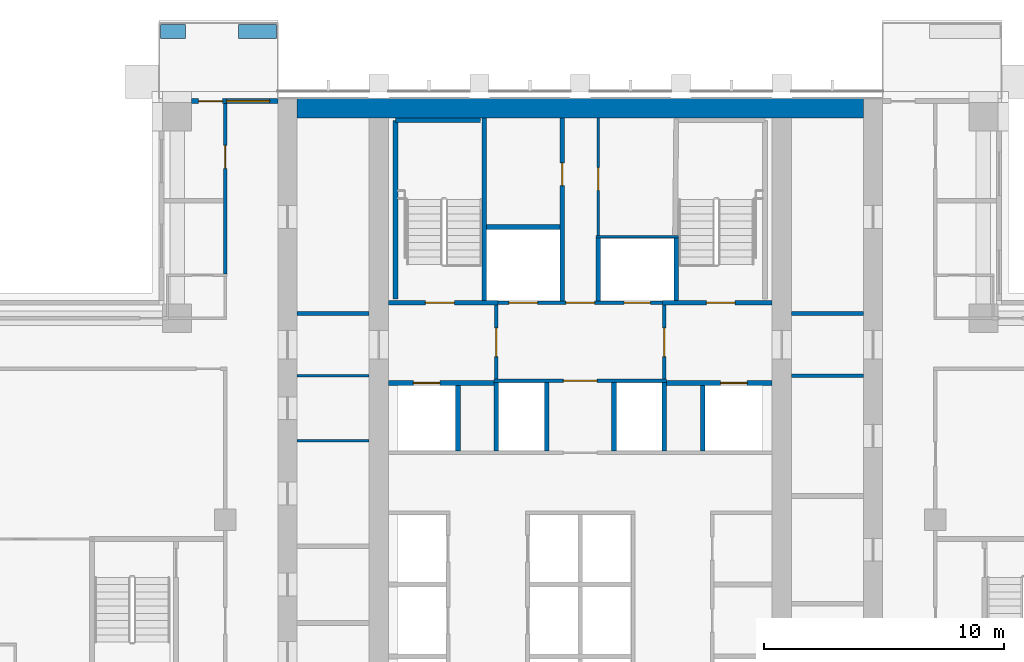
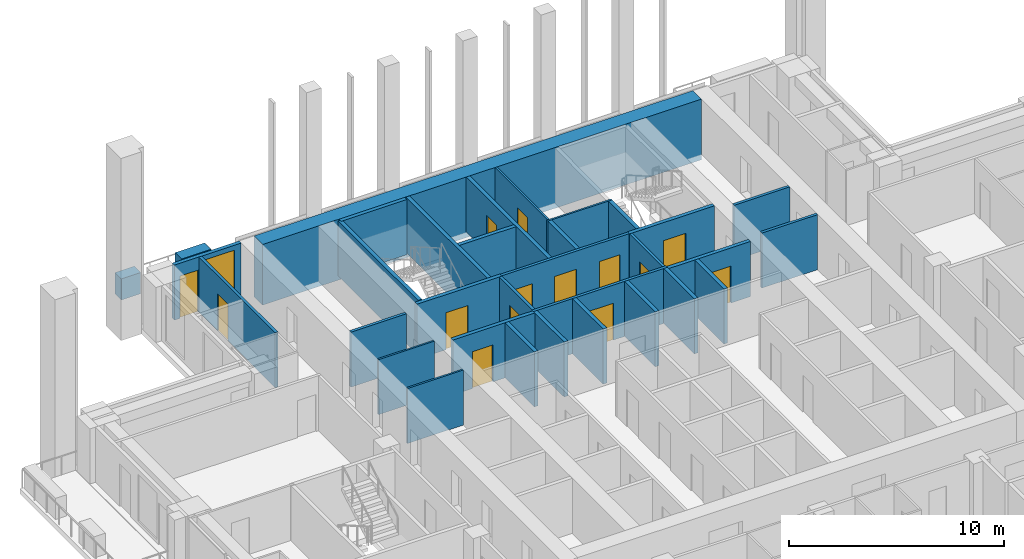
# One storey, part 11 of 18: 33 walls, 14 doors, 1 window, 15 openings.
"""IFC4 building model written with IfcOpenShell, lengths in metres."""

from ifc_helpers import new_model, si_unit, direction, frame, frame_2d, origin, place, context, subcontext, project, spatial, rectangle, extrude, material, layer, layer_set, type_object, element, fill, save


model = new_model("IFC4")

# Units and contexts
model_context = context("Model", 3, precision=1e-05, world=origin(), true_north=direction((0.0, 1.0)))
body_context = subcontext(model_context, "Body", "Model", "MODEL_VIEW")
ifc_project = project(units=[si_unit("LENGTHUNIT", "METRE"), si_unit("AREAUNIT", "SQUARE_METRE"), si_unit("VOLUMEUNIT", "CUBIC_METRE"), si_unit("PLANEANGLEUNIT", "RADIAN"), si_unit("MASSUNIT", "GRAM", prefix="KILO")], contexts=[model_context])

# Site, building, storey
site_placement = place(None, origin())
site = spatial("IfcSite", under=ifc_project, at=site_placement, CompositionType="ELEMENT")
building_placement = place(site_placement, origin())
building = spatial("IfcBuilding", under=site, at=building_placement, Name="Vermilion Ogive Tower", CompositionType="ELEMENT")
storey_placement = place(building_placement, frame((0.0, 0.0, 80.39990234375)))
storey = spatial("IfcBuildingStorey", under=building, at=storey_placement, Name="L19", CompositionType="ELEMENT", Elevation=80.39990234375)

# Walls
ifc_material_1 = material(Name="Concrete B80", Category="concrete")
ifc_layer_1 = layer(ifc_material_1, 0.800048828125)
ifc_layer_set_1 = layer_set([ifc_layer_1], Name="Core wall 800 B80")
wall_type_1 = type_object("IfcWallType", Name="Core wall 800 B80", PredefinedType="SHEAR", material=ifc_layer_set_1)
wall_1_placement = place(storey_placement, frame((-11.800048828125, 21.35009765625, -0.31982421875), z_axis=(0.0, 0.0, 1.0), x_axis=(1.0, 0.0, 0.0)))
element("IfcWall", 1, at=wall_1_placement, inside=storey, type_object=wall_type_1, Name="L19-CORE-N", PredefinedType="SHEAR", context=body_context, shape_type="SweptSolid", body=[
    extrude(rectangle(XDim=23.60009765625, YDim=0.800048828125, at=frame_2d((11.800048828125, 0.0))), origin(), (0.0, 0.0, 1.0), 3.449951171875),
])
ifc_material_2 = material(Name="Gypsum board partition on steel studs", Category="steel")
ifc_layer_2 = layer(ifc_material_2, 0.10009765625)
ifc_layer_set_2 = layer_set([ifc_layer_2], Name="Partition 100 bath")
wall_type_2 = type_object("IfcWallType", Name="Partition 100 bath", PredefinedType="PARTITIONING", material=ifc_layer_set_2)
wall_2_placement = place(storey_placement, frame((0.64990234375, 16.0, 0.0), z_axis=(0.0, 0.0, 1.0), x_axis=(1.0, 0.0, 0.0)))
element("IfcWall", 2, at=wall_2_placement, inside=storey, type_object=wall_type_2, Name="L19-CK-W-W020", PredefinedType="PARTITIONING", context=body_context, shape_type="SweptSolid", body=[
    extrude(rectangle(XDim=3.4501953125, YDim=0.10009765625, at=frame_2d((1.72509765625, 0.0))), origin(), (0.0, 0.0, 1.0), 3.130126953125),
])

# Wall, opening, door
wall_3_placement = place(storey_placement, frame((0.75, 16.050048828125, 0.0), z_axis=(0.0, 0.0, 1.0), x_axis=(0.0, 1.0, 0.0)))
wall_3 = element("IfcWall", 3, at=wall_3_placement, inside=storey, type_object=wall_type_2, Name="L19-CK-W-W032", PredefinedType="PARTITIONING", context=body_context, shape_type="SweptSolid", body=[
    extrude(rectangle(XDim=4.89892578125, YDim=0.10009765625, at=frame_2d((2.449462890625, 0.0))), origin(), (0.0, 0.0, 1.0), 3.130126953125),
])
opening_1_placement = place(wall_3_placement, frame((1.875, 0.0, 0.0)))
opening_1 = element("IfcOpeningElement", 4, at=opening_1_placement, cuts=wall_3, Name="Opening DAA146", PredefinedType="OPENING", context=body_context, shape_type="SweptSolid", body=[
    extrude(rectangle(XDim=0.949951171875, YDim=2.10009765625, at=frame_2d((0.47509765625, 1.050048828125))), frame((0.0, 0.06005859375, 0.0), z_axis=(0.0, -1.0, 0.0), x_axis=(1.0, 0.0, 0.0)), (0.0, 0.0, 1.0), 0.1201171875),
])
ifc_material_3 = material(Name="Timber door leaf", Category="wood")
door_type_1 = type_object("IfcDoorType", Name="Service door 950 x 2100 FD60", OperationType="SINGLE_SWING_LEFT", PredefinedType="DOOR", material=ifc_material_3)
door_1_placement = place(opening_1_placement, origin())
door_1 = element("IfcDoor", 5, at=door_1_placement, inside=storey, type_object=door_type_1, Name="L19-CK-D-D021", OperationType="SINGLE_SWING_LEFT", OverallHeight=2.10009765625, OverallWidth=0.949951171875, PredefinedType="DOOR", context=body_context, shape_type="SweptSolid", body=[
    extrude(rectangle(XDim=0.949951171875, YDim=2.10009765625, at=frame_2d((0.47509765625, 1.050048828125))), frame((0.0, 0.02490234375, 0.0), z_axis=(0.0, -1.0, 0.0), x_axis=(1.0, 0.0, 0.0)), (0.0, 0.0, 1.0), 0.050048828125),
])
fill(opening_1, door_1)

# Walls
for number, where, z_axis, x_axis, name in (
    (6, (-11.799072265625, 7.5, 0.0), (0.0, 0.0, 1.0), (1.0, 0.0, 0.0), "L19-CKW-W-W004"),
    (7, (-11.799072265625, 10.199951171875, 0.0), (0.0, 0.0, 1.0), (1.0, 0.0, 0.0), "L19-CKW-W-W005"),
):
    element("IfcWall", number, at=place(storey_placement, frame(where, z_axis=z_axis, x_axis=x_axis)), inside=storey, type_object=wall_type_2, Name=name, PredefinedType="PARTITIONING", context=body_context, shape_type="SweptSolid", body=[
        extrude(rectangle(XDim=2.998046875, YDim=0.10009765625, at=frame_2d((1.4990234375, 0.0))), origin(), (0.0, 0.0, 1.0), 3.130126953125),
    ])

# Wall, opening, door
ifc_material_4 = material(Name="Gypsum board partition on steel studs", Category="steel")
ifc_layer_3 = layer(ifc_material_4, 0.14990234375)
ifc_layer_set_3 = layer_set([ifc_layer_3], Name="Partition 150 corridor")
wall_type_3 = type_object("IfcWallType", Name="Partition 150 corridor", PredefinedType="PARTITIONING", material=ifc_layer_set_3)
wall_4_placement = place(storey_placement, frame((-14.800048828125, 14.449951171875, 0.0), z_axis=(0.0, 0.0, 1.0), x_axis=(0.0, 1.0, 0.0)))
wall_4 = element("IfcWall", 8, at=wall_4_placement, inside=storey, type_object=wall_type_3, Name="L19-W-W047", PredefinedType="PARTITIONING", context=body_context, shape_type="SweptSolid", body=[
    extrude(rectangle(XDim=7.10009765625, YDim=0.14990234375, at=frame_2d((3.550048828125, 0.0))), origin(), (0.0, 0.0, 1.0), 3.130126953125),
])
opening_2_placement = place(wall_4_placement, frame((4.400146484375, 0.0, 0.0)))
opening_2 = element("IfcOpeningElement", 9, at=opening_2_placement, cuts=wall_4, Name="Opening D2G1008", PredefinedType="OPENING", context=body_context, shape_type="SweptSolid", body=[
    extrude(rectangle(XDim=0.949951171875, YDim=2.10009765625, at=frame_2d((0.47509765625, 1.050048828125))), frame((0.0, 0.0849609375, 0.0), z_axis=(0.0, -1.0, 0.0), x_axis=(1.0, 0.0, 0.0)), (0.0, 0.0, 1.0), 0.169921875),
])
ifc_material_5 = material(Name="Timber door leaf", Category="wood")
door_type_2 = type_object("IfcDoorType", Name="Unit door 950 x 2100 FD30S", OperationType="SINGLE_SWING_LEFT", PredefinedType="DOOR", material=ifc_material_5)
door_2_placement = place(opening_2_placement, origin())
door_2 = element("IfcDoor", 10, at=door_2_placement, inside=storey, type_object=door_type_2, Name="L19-D-D008", OperationType="SINGLE_SWING_LEFT", OverallHeight=2.10009765625, OverallWidth=0.949951171875, PredefinedType="DOOR", context=body_context, shape_type="SweptSolid", body=[
    extrude(rectangle(XDim=0.949951171875, YDim=2.10009765625, at=frame_2d((0.47509765625, 1.050048828125))), frame((0.0, 0.02490234375, 0.0), z_axis=(0.0, -1.0, 0.0), x_axis=(1.0, 0.0, 0.0)), (0.0, 0.0, 1.0), 0.050048828125),
])
fill(opening_2, door_2)

wall_5_placement = place(storey_placement, frame((-3.60009765625, 10.0, 0.0), z_axis=(0.0, 0.0, 1.0), x_axis=(1.0, 0.0, 0.0)))
wall_5 = element("IfcWall", 11, at=wall_5_placement, inside=storey, type_object=wall_type_3, Name="L19-CK-W-W016", PredefinedType="PARTITIONING", context=body_context, shape_type="SweptSolid", body=[
    extrude(rectangle(XDim=7.2001953125, YDim=0.14990234375, at=frame_2d((3.60009765625, 0.0))), origin(), (0.0, 0.0, 1.0), 3.130126953125),
])
opening_3_placement = place(wall_5_placement, frame((2.900146484375, 0.0, 0.0)))
opening_3 = element("IfcOpeningElement", 12, at=opening_3_placement, cuts=wall_5, Name="Opening DAA141", PredefinedType="OPENING", context=body_context, shape_type="SweptSolid", body=[
    extrude(rectangle(XDim=1.39990234375, YDim=2.10009765625, at=frame_2d((0.699951171875, 1.050048828125))), frame((0.0, 0.0849609375, 0.0), z_axis=(0.0, -1.0, 0.0), x_axis=(1.0, 0.0, 0.0)), (0.0, 0.0, 1.0), 0.169921875),
])
ifc_material_6 = material(Name="Timber door leaf", Category="wood")
door_type_3 = type_object("IfcDoorType", Name="Lobby door 1400 x 2100 FD60S", OperationType="SINGLE_SWING_LEFT", PredefinedType="DOOR", material=ifc_material_6)
door_3_placement = place(opening_3_placement, origin())
door_3 = element("IfcDoor", 13, at=door_3_placement, inside=storey, type_object=door_type_3, Name="L19-CK-D-D016", OperationType="SINGLE_SWING_RIGHT", OverallHeight=2.10009765625, OverallWidth=1.39990234375, PredefinedType="DOOR", context=body_context, shape_type="SweptSolid", body=[
    extrude(rectangle(XDim=1.39990234375, YDim=2.10009765625, at=frame_2d((0.699951171875, 1.050048828125))), frame((0.0, 0.02490234375, 0.0), z_axis=(0.0, -1.0, 0.0), x_axis=(1.0, 0.0, 0.0)), (0.0, 0.0, 1.0), 0.050048828125),
])
fill(opening_3, door_3)

# Wall, openings, doors
wall_6_placement = place(storey_placement, frame((-3.574951171875, 13.25, 0.0), z_axis=(0.0, 0.0, 1.0), x_axis=(1.0, 0.0, 0.0)))
wall_6 = element("IfcWall", 14, at=wall_6_placement, inside=storey, type_object=wall_type_3, Name="L19-CK-W-W018", PredefinedType="PARTITIONING", context=body_context, shape_type="SweptSolid", body=[
    extrude(rectangle(XDim=7.14990234375, YDim=0.14990234375, at=frame_2d((3.574951171875, 0.0))), origin(), (0.0, 0.0, 1.0), 3.130126953125),
])
opening_4_placement = place(wall_6_placement, frame((0.599853515625, 0.0, 0.0)))
opening_4 = element("IfcOpeningElement", 15, at=opening_4_placement, cuts=wall_6, Name="Opening DAA160", PredefinedType="OPENING", context=body_context, shape_type="SweptSolid", body=[
    extrude(rectangle(XDim=1.199951171875, YDim=2.10009765625, at=frame_2d((0.60009765625, 1.050048828125))), frame((0.0, 0.0849609375, 0.0), z_axis=(0.0, -1.0, 0.0), x_axis=(1.0, 0.0, 0.0)), (0.0, 0.0, 1.0), 0.169921875),
])
opening_5_placement = place(wall_6_placement, frame((5.39990234375, 0.0, 0.0)))
opening_5 = element("IfcOpeningElement", 16, at=opening_5_placement, cuts=wall_6, Name="Opening DAA151", PredefinedType="OPENING", context=body_context, shape_type="SweptSolid", body=[
    extrude(rectangle(XDim=1.10009765625, YDim=2.10009765625, at=frame_2d((0.550048828125, 1.050048828125))), frame((0.0, 0.0849609375, 0.0), z_axis=(0.0, -1.0, 0.0), x_axis=(1.0, 0.0, 0.0)), (0.0, 0.0, 1.0), 0.169921875),
])
opening_6_placement = place(wall_6_placement, frame((2.974853515625, 0.0, 0.0)))
opening_6 = element("IfcOpeningElement", 17, at=opening_6_placement, cuts=wall_6, Name="Opening DAA142", PredefinedType="OPENING", context=body_context, shape_type="SweptSolid", body=[
    extrude(rectangle(XDim=1.199951171875, YDim=2.10009765625, at=frame_2d((0.60009765625, 1.050048828125))), frame((0.0, 0.0849609375, 0.0), z_axis=(0.0, -1.0, 0.0), x_axis=(1.0, 0.0, 0.0)), (0.0, 0.0, 1.0), 0.169921875),
])
ifc_material_7 = material(Name="Stainless steel", Category="steel")
door_type_4 = type_object("IfcDoorType", Name="Lift landing door 1100 x 2100", OperationType="SLIDING_TO_LEFT", PredefinedType="DOOR", material=ifc_material_7)
door_4_placement = place(opening_5_placement, origin())
door_4 = element("IfcDoor", 18, at=door_4_placement, inside=storey, type_object=door_type_4, Name="L19-CK-D-D018", OperationType="SLIDING_TO_LEFT", OverallHeight=2.10009765625, OverallWidth=1.10009765625, PredefinedType="DOOR", context=body_context, shape_type="SweptSolid", body=[
    extrude(rectangle(XDim=1.10009765625, YDim=2.10009765625, at=frame_2d((0.550048828125, 1.050048828125))), frame((0.0, 0.02490234375, 0.0), z_axis=(0.0, -1.0, 0.0), x_axis=(1.0, 0.0, 0.0)), (0.0, 0.0, 1.0), 0.050048828125),
])
fill(opening_5, door_4)
ifc_material_8 = material(Name="Stainless steel", Category="steel")
door_type_5 = type_object("IfcDoorType", Name="Lift landing door 1200 x 2100", OperationType="SLIDING_TO_LEFT", PredefinedType="DOOR", material=ifc_material_8)
door_5_placement = place(opening_4_placement, origin())
door_5 = element("IfcDoor", 19, at=door_5_placement, inside=storey, type_object=door_type_5, Name="L19-CK-D-D017", OperationType="SLIDING_TO_RIGHT", OverallHeight=2.10009765625, OverallWidth=1.199951171875, PredefinedType="DOOR", context=body_context, shape_type="SweptSolid", body=[
    extrude(rectangle(XDim=1.199951171875, YDim=2.10009765625, at=frame_2d((0.60009765625, 1.050048828125))), frame((0.0, 0.02490234375, 0.0), z_axis=(0.0, -1.0, 0.0), x_axis=(1.0, 0.0, 0.0)), (0.0, 0.0, 1.0), 0.050048828125),
])
fill(opening_4, door_5)
ifc_material_9 = material(Name="Timber door leaf", Category="wood")
door_type_6 = type_object("IfcDoorType", Name="Service door 1200 x 2100 FD60", OperationType="SINGLE_SWING_LEFT", PredefinedType="DOOR", material=ifc_material_9)
door_6_placement = place(opening_6_placement, origin())
door_6 = element("IfcDoor", 20, at=door_6_placement, inside=storey, type_object=door_type_6, Name="L19-CK-D-D019", OperationType="SINGLE_SWING_RIGHT", OverallHeight=2.10009765625, OverallWidth=1.199951171875, PredefinedType="DOOR", context=body_context, shape_type="SweptSolid", body=[
    extrude(rectangle(XDim=1.199951171875, YDim=2.10009765625, at=frame_2d((0.60009765625, 1.050048828125))), frame((0.0, 0.02490234375, 0.0), z_axis=(0.0, -1.0, 0.0), x_axis=(1.0, 0.0, 0.0)), (0.0, 0.0, 1.0), 0.050048828125),
])
fill(opening_6, door_6)

# Wall, opening, door
wall_7_placement = place(storey_placement, frame((-3.5, 10.074951171875, 0.0), z_axis=(0.0, 0.0, 1.0), x_axis=(0.0, 1.0, 0.0)))
wall_7 = element("IfcWall", 21, at=wall_7_placement, inside=storey, type_object=wall_type_3, Name="L19-CK-W-W026", PredefinedType="PARTITIONING", context=body_context, shape_type="SweptSolid", body=[
    extrude(rectangle(XDim=3.074951171875, YDim=0.14990234375, at=frame_2d((1.53759765625, 0.0))), origin(), (0.0, 0.0, 1.0), 3.130126953125),
])
opening_7_placement = place(wall_7_placement, frame((0.925048828125, 0.0, 0.0)))
opening_7 = element("IfcOpeningElement", 22, at=opening_7_placement, cuts=wall_7, Name="Opening DAA138", PredefinedType="OPENING", context=body_context, shape_type="SweptSolid", body=[
    extrude(rectangle(XDim=1.199951171875, YDim=2.10009765625, at=frame_2d((0.60009765625, 1.050048828125))), frame((0.0, 0.0849609375, 0.0), z_axis=(0.0, -1.0, 0.0), x_axis=(1.0, 0.0, 0.0)), (0.0, 0.0, 1.0), 0.169921875),
])
ifc_material_10 = material(Name="Timber door leaf", Category="wood")
door_type_7 = type_object("IfcDoorType", Name="Lobby door 1200 x 2100 FD60S", OperationType="SINGLE_SWING_LEFT", PredefinedType="DOOR", material=ifc_material_10)
door_7_placement = place(opening_7_placement, origin())
door_7 = element("IfcDoor", 23, at=door_7_placement, inside=storey, type_object=door_type_7, Name="L19-CK-D-D022", OperationType="SINGLE_SWING_RIGHT", OverallHeight=2.10009765625, OverallWidth=1.199951171875, PredefinedType="DOOR", context=body_context, shape_type="SweptSolid", body=[
    extrude(rectangle(XDim=1.199951171875, YDim=2.10009765625, at=frame_2d((0.60009765625, 1.050048828125))), frame((0.0, 0.02490234375, 0.0), z_axis=(0.0, -1.0, 0.0), x_axis=(1.0, 0.0, 0.0)), (0.0, 0.0, 1.0), 0.050048828125),
])
fill(opening_7, door_7)

wall_8_placement = place(storey_placement, frame((3.5, 10.074951171875, 0.0), z_axis=(0.0, 0.0, 1.0), x_axis=(0.0, 1.0, 0.0)))
wall_8 = element("IfcWall", 24, at=wall_8_placement, inside=storey, type_object=wall_type_3, Name="L19-CK-W-W036", PredefinedType="PARTITIONING", context=body_context, shape_type="SweptSolid", body=[
    extrude(rectangle(XDim=3.074951171875, YDim=0.14990234375, at=frame_2d((1.53759765625, 0.0))), origin(), (0.0, 0.0, 1.0), 3.130126953125),
])
opening_8_placement = place(wall_8_placement, frame((0.925048828125, 0.0, 0.0)))
opening_8 = element("IfcOpeningElement", 25, at=opening_8_placement, cuts=wall_8, Name="Opening DAA139", PredefinedType="OPENING", context=body_context, shape_type="SweptSolid", body=[
    extrude(rectangle(XDim=1.199951171875, YDim=2.10009765625, at=frame_2d((0.60009765625, 1.050048828125))), frame((0.0, 0.0849609375, 0.0), z_axis=(0.0, -1.0, 0.0), x_axis=(1.0, 0.0, 0.0)), (0.0, 0.0, 1.0), 0.169921875),
])
door_8_placement = place(opening_8_placement, origin())
door_8 = element("IfcDoor", 26, at=door_8_placement, inside=storey, type_object=door_type_7, Name="L19-CK-D-D023", OperationType="SINGLE_SWING_LEFT", OverallHeight=2.10009765625, OverallWidth=1.199951171875, PredefinedType="DOOR", context=body_context, shape_type="SweptSolid", body=[
    extrude(rectangle(XDim=1.199951171875, YDim=2.10009765625, at=frame_2d((0.60009765625, 1.050048828125))), frame((0.0, 0.02490234375, 0.0), z_axis=(0.0, -1.0, 0.0), x_axis=(1.0, 0.0, 0.0)), (0.0, 0.0, 1.0), 0.050048828125),
])
fill(opening_8, door_8)

# Walls
for number, where, z_axis, x_axis, name in (
    (27, (-11.799072265625, 12.800048828125, 0.0), (0.0, 0.0, 1.0), (1.0, 0.0, 0.0), "L19-CKW-W-W006"),
    (28, (8.801025390625, 10.199951171875, 0.0), (0.0, 0.0, 1.0), (1.0, 0.0, 0.0), "L19-CKE-W-W004"),
    (29, (8.801025390625, 12.800048828125, 0.0), (0.0, 0.0, 1.0), (1.0, 0.0, 0.0), "L19-CKE-W-W005"),
):
    element("IfcWall", number, at=place(storey_placement, frame(where, z_axis=z_axis, x_axis=x_axis)), inside=storey, type_object=wall_type_3, Name=name, PredefinedType="PARTITIONING", context=body_context, shape_type="SweptSolid", body=[
        extrude(rectangle(XDim=2.998046875, YDim=0.14990234375, at=frame_2d((1.4990234375, 0.0))), origin(), (0.0, 0.0, 1.0), 3.130126953125),
    ])

# Wall, opening, door
ifc_material_11 = material(Name="Gypsum board partition on steel studs", Category="steel")
ifc_layer_4 = layer(ifc_material_11, 0.199951171875)
ifc_layer_set_4 = layer_set([ifc_layer_4], Name="Partition 200 party")
wall_type_4 = type_object("IfcWallType", Name="Partition 200 party", PredefinedType="PARTITIONING", material=ifc_layer_set_4)
wall_9_placement = place(storey_placement, frame((-7.9990234375, 9.89990234375, 0.0), z_axis=(0.0, 0.0, 1.0), x_axis=(1.0, 0.0, 0.0)))
wall_9 = element("IfcWall", 30, at=wall_9_placement, inside=storey, type_object=wall_type_4, Name="L19-CK-W-W014", PredefinedType="PARTITIONING", context=body_context, shape_type="SweptSolid", body=[
    extrude(rectangle(XDim=4.39892578125, YDim=0.199951171875, at=frame_2d((2.199462890625, 0.0))), origin(), (0.0, 0.0, 1.0), 3.130126953125),
])
opening_9_placement = place(wall_9_placement, frame((1.049072265625, 0.0, 0.0)))
opening_9 = element("IfcOpeningElement", 31, at=opening_9_placement, cuts=wall_9, Name="Opening DAA159", PredefinedType="OPENING", context=body_context, shape_type="SweptSolid", body=[
    extrude(rectangle(XDim=1.10009765625, YDim=2.10009765625, at=frame_2d((0.550048828125, 1.050048828125))), frame((0.0, 0.10986328125, 0.0), z_axis=(0.0, -1.0, 0.0), x_axis=(1.0, 0.0, 0.0)), (0.0, 0.0, 1.0), 0.219970703125),
])
door_9_placement = place(opening_9_placement, origin())
door_9 = element("IfcDoor", 32, at=door_9_placement, inside=storey, type_object=door_type_4, Name="L19-CK-D-D012", OperationType="SLIDING_TO_LEFT", OverallHeight=2.10009765625, OverallWidth=1.10009765625, PredefinedType="DOOR", context=body_context, shape_type="SweptSolid", body=[
    extrude(rectangle(XDim=1.10009765625, YDim=2.10009765625, at=frame_2d((0.550048828125, 1.050048828125))), frame((0.0, 0.02490234375, 0.0), z_axis=(0.0, -1.0, 0.0), x_axis=(1.0, 0.0, 0.0)), (0.0, 0.0, 1.0), 0.050048828125),
])
fill(opening_9, door_9)

wall_10_placement = place(storey_placement, frame((3.60009765625, 9.89990234375, 0.0), z_axis=(0.0, 0.0, 1.0), x_axis=(1.0, 0.0, 0.0)))
wall_10 = element("IfcWall", 33, at=wall_10_placement, inside=storey, type_object=wall_type_4, Name="L19-CK-W-W015", PredefinedType="PARTITIONING", context=body_context, shape_type="SweptSolid", body=[
    extrude(rectangle(XDim=4.39892578125, YDim=0.199951171875, at=frame_2d((2.199462890625, 0.0))), origin(), (0.0, 0.0, 1.0), 3.130126953125),
])
opening_10_placement = place(wall_10_placement, frame((2.25, 0.0, 0.0)))
opening_10 = element("IfcOpeningElement", 34, at=opening_10_placement, cuts=wall_10, Name="Opening DAA150", PredefinedType="OPENING", context=body_context, shape_type="SweptSolid", body=[
    extrude(rectangle(XDim=1.10009765625, YDim=2.10009765625, at=frame_2d((0.550048828125, 1.050048828125))), frame((0.0, 0.10986328125, 0.0), z_axis=(0.0, -1.0, 0.0), x_axis=(1.0, 0.0, 0.0)), (0.0, 0.0, 1.0), 0.219970703125),
])
door_10_placement = place(opening_10_placement, origin())
door_10 = element("IfcDoor", 35, at=door_10_placement, inside=storey, type_object=door_type_4, Name="L19-CK-D-D014", OperationType="SLIDING_TO_LEFT", OverallHeight=2.10009765625, OverallWidth=1.10009765625, PredefinedType="DOOR", context=body_context, shape_type="SweptSolid", body=[
    extrude(rectangle(XDim=1.10009765625, YDim=2.10009765625, at=frame_2d((0.550048828125, 1.050048828125))), frame((0.0, 0.02490234375, 0.0), z_axis=(0.0, -1.0, 0.0), x_axis=(1.0, 0.0, 0.0)), (0.0, 0.0, 1.0), 0.050048828125),
])
fill(opening_10, door_10)

# Walls
wall_11_placement = place(storey_placement, frame((-3.89990234375, 16.39990234375, 0.0), z_axis=(0.0, 0.0, 1.0), x_axis=(1.0, 0.0, 0.0)))
element("IfcWall", 36, at=wall_11_placement, inside=storey, type_object=wall_type_4, Name="L19-CK-W-W021", PredefinedType="PARTITIONING", context=body_context, shape_type="SweptSolid", body=[
    extrude(rectangle(XDim=3.0498046875, YDim=0.199951171875, at=frame_2d((1.52490234375, 0.0))), origin(), (0.0, 0.0, 1.0), 3.130126953125),
])
wall_12_placement = place(storey_placement, frame((-5.10009765625, 7.074951171875, 0.0), z_axis=(0.0, 0.0, 1.0), x_axis=(0.0, 1.0, 0.0)))
element("IfcWall", 37, at=wall_12_placement, inside=storey, type_object=wall_type_4, Name="L19-CK-W-W023", PredefinedType="PARTITIONING", context=body_context, shape_type="SweptSolid", body=[
    extrude(rectangle(XDim=2.72509765625, YDim=0.199951171875, at=frame_2d((1.362548828125, 0.0))), origin(), (0.0, 0.0, 1.0), 3.130126953125),
])
for number, where, z_axis, x_axis, name in (
    (38, (-3.5, 7.074951171875, 0.0), (0.0, 0.0, 1.0), (0.0, 1.0, 0.0), "L19-CK-W-W025"),
    (39, (-1.39990234375, 7.074951171875, 0.0), (0.0, 0.0, 1.0), (0.0, 1.0, 0.0), "L19-CK-W-W028"),
):
    element("IfcWall", number, at=place(storey_placement, frame(where, z_axis=z_axis, x_axis=x_axis)), inside=storey, type_object=wall_type_4, Name=name, PredefinedType="PARTITIONING", context=body_context, shape_type="SweptSolid", body=[
        extrude(rectangle(XDim=2.85009765625, YDim=0.199951171875, at=frame_2d((1.425048828125, 0.0))), origin(), (0.0, 0.0, 1.0), 3.130126953125),
    ])

# Wall, opening, door
wall_13_placement = place(storey_placement, frame((-0.75, 13.324951171875, 0.0), z_axis=(0.0, 0.0, 1.0), x_axis=(0.0, 1.0, 0.0)))
wall_13 = element("IfcWall", 40, at=wall_13_placement, inside=storey, type_object=wall_type_4, Name="L19-CK-W-W029", PredefinedType="PARTITIONING", context=body_context, shape_type="SweptSolid", body=[
    extrude(rectangle(XDim=7.6240234375, YDim=0.199951171875, at=frame_2d((3.81201171875, 0.0))), origin(), (0.0, 0.0, 1.0), 3.130126953125),
])
opening_11_placement = place(wall_13_placement, frame((4.800048828125, 0.0, 0.0)))
opening_11 = element("IfcOpeningElement", 41, at=opening_11_placement, cuts=wall_13, Name="Opening DAA145", PredefinedType="OPENING", context=body_context, shape_type="SweptSolid", body=[
    extrude(rectangle(XDim=0.949951171875, YDim=2.10009765625, at=frame_2d((0.47509765625, 1.050048828125))), frame((0.0, 0.10986328125, 0.0), z_axis=(0.0, -1.0, 0.0), x_axis=(1.0, 0.0, 0.0)), (0.0, 0.0, 1.0), 0.219970703125),
])
door_11_placement = place(opening_11_placement, origin())
door_11 = element("IfcDoor", 42, at=door_11_placement, inside=storey, type_object=door_type_1, Name="L19-CK-D-D020", OperationType="SINGLE_SWING_RIGHT", OverallHeight=2.10009765625, OverallWidth=0.949951171875, PredefinedType="DOOR", context=body_context, shape_type="SweptSolid", body=[
    extrude(rectangle(XDim=0.949951171875, YDim=2.10009765625, at=frame_2d((0.47509765625, 1.050048828125))), frame((0.0, 0.02490234375, 0.0), z_axis=(0.0, -1.0, 0.0), x_axis=(1.0, 0.0, 0.0)), (0.0, 0.0, 1.0), 0.050048828125),
])
fill(opening_11, door_11)

# Walls
wall_14_placement = place(storey_placement, frame((0.75, 13.324951171875, 0.0), z_axis=(0.0, 0.0, 1.0), x_axis=(0.0, 1.0, 0.0)))
element("IfcWall", 43, at=wall_14_placement, inside=storey, type_object=wall_type_4, Name="L19-CK-W-W031", PredefinedType="PARTITIONING", context=body_context, shape_type="SweptSolid", body=[
    extrude(rectangle(XDim=2.625, YDim=0.199951171875, at=frame_2d((1.3125, 0.0))), origin(), (0.0, 0.0, 1.0), 3.130126953125),
])
for number, where, z_axis, x_axis, name in (
    (44, (1.39990234375, 7.074951171875, 0.0), (0.0, 0.0, 1.0), (0.0, 1.0, 0.0), "L19-CK-W-W033"),
    (45, (3.5, 7.074951171875, 0.0), (0.0, 0.0, 1.0), (0.0, 1.0, 0.0), "L19-CK-W-W035"),
):
    element("IfcWall", number, at=place(storey_placement, frame(where, z_axis=z_axis, x_axis=x_axis)), inside=storey, type_object=wall_type_4, Name=name, PredefinedType="PARTITIONING", context=body_context, shape_type="SweptSolid", body=[
        extrude(rectangle(XDim=2.85009765625, YDim=0.199951171875, at=frame_2d((1.425048828125, 0.0))), origin(), (0.0, 0.0, 1.0), 3.130126953125),
    ])
wall_15_placement = place(storey_placement, frame((5.10009765625, 7.074951171875, 0.0), z_axis=(0.0, 0.0, 1.0), x_axis=(0.0, 1.0, 0.0)))
element("IfcWall", 46, at=wall_15_placement, inside=storey, type_object=wall_type_4, Name="L19-CK-W-W039", PredefinedType="PARTITIONING", context=body_context, shape_type="SweptSolid", body=[
    extrude(rectangle(XDim=2.72509765625, YDim=0.199951171875, at=frame_2d((1.362548828125, 0.0))), origin(), (0.0, 0.0, 1.0), 3.130126953125),
])

# Wall, opening, door
ifc_material_12 = material(Name="Concrete B60", Category="concrete")
ifc_layer_5 = layer(ifc_material_12, 0.199951171875)
ifc_layer_set_5 = layer_set([ifc_layer_5], Name="Stair shaft wall 200 Concrete B60")
wall_type_5 = type_object("IfcWallType", Name="Stair shaft wall 200 Concrete B60", PredefinedType="SOLIDWALL", material=ifc_layer_set_5)
wall_16_placement = place(storey_placement, frame((-7.9990234375, 13.25, 0.0), z_axis=(0.0, 0.0, 1.0), x_axis=(1.0, 0.0, 0.0)))
wall_16 = element("IfcWall", 47, at=wall_16_placement, inside=storey, type_object=wall_type_5, Name="L19-CK-W-W017", PredefinedType="SOLIDWALL", context=body_context, shape_type="SweptSolid", body=[
    extrude(rectangle(XDim=4.573974609375, YDim=0.199951171875, at=frame_2d((2.287109375, 0.0))), origin(), (0.0, 0.0, 1.0), 3.130126953125),
])
opening_12_placement = place(wall_16_placement, frame((1.549072265625, 0.0, 0.0)))
opening_12 = element("IfcOpeningElement", 48, at=opening_12_placement, cuts=wall_16, Name="Opening DAA147", PredefinedType="OPENING", context=body_context, shape_type="SweptSolid", body=[
    extrude(rectangle(XDim=1.199951171875, YDim=2.10009765625, at=frame_2d((0.60009765625, 1.050048828125))), frame((0.0, 0.10986328125, 0.0), z_axis=(0.0, -1.0, 0.0), x_axis=(1.0, 0.0, 0.0)), (0.0, 0.0, 1.0), 0.219970703125),
])
ifc_material_13 = material(Name="Timber door leaf", Category="wood")
door_type_8 = type_object("IfcDoorType", Name="Stair door 1200 x 2100 FD60S", OperationType="SINGLE_SWING_LEFT", PredefinedType="DOOR", material=ifc_material_13)
door_12_placement = place(opening_12_placement, origin())
door_12 = element("IfcDoor", 49, at=door_12_placement, inside=storey, type_object=door_type_8, Name="L19-CK-D-D011", OperationType="SINGLE_SWING_LEFT", OverallHeight=2.10009765625, OverallWidth=1.199951171875, PredefinedType="DOOR", context=body_context, shape_type="SweptSolid", body=[
    extrude(rectangle(XDim=1.199951171875, YDim=2.10009765625, at=frame_2d((0.60009765625, 1.050048828125))), frame((0.0, 0.02490234375, 0.0), z_axis=(0.0, -1.0, 0.0), x_axis=(1.0, 0.0, 0.0)), (0.0, 0.0, 1.0), 0.050048828125),
])
fill(opening_12, door_12)

wall_17_placement = place(storey_placement, frame((3.425048828125, 13.25, 0.0), z_axis=(0.0, 0.0, 1.0), x_axis=(1.0, 0.0, 0.0)))
wall_17 = element("IfcWall", 50, at=wall_17_placement, inside=storey, type_object=wall_type_5, Name="L19-CK-W-W019", PredefinedType="SOLIDWALL", context=body_context, shape_type="SweptSolid", body=[
    extrude(rectangle(XDim=4.573974609375, YDim=0.199951171875, at=frame_2d((2.287109375, 0.0))), origin(), (0.0, 0.0, 1.0), 3.130126953125),
])
opening_13_placement = place(wall_17_placement, frame((1.824951171875, 0.0, 0.0)))
opening_13 = element("IfcOpeningElement", 51, at=opening_13_placement, cuts=wall_17, Name="Opening DAA148", PredefinedType="OPENING", context=body_context, shape_type="SweptSolid", body=[
    extrude(rectangle(XDim=1.199951171875, YDim=2.10009765625, at=frame_2d((0.60009765625, 1.050048828125))), frame((0.0, 0.10986328125, 0.0), z_axis=(0.0, -1.0, 0.0), x_axis=(1.0, 0.0, 0.0)), (0.0, 0.0, 1.0), 0.219970703125),
])
door_13_placement = place(opening_13_placement, origin())
door_13 = element("IfcDoor", 52, at=door_13_placement, inside=storey, type_object=door_type_8, Name="L19-CK-D-D013", OperationType="SINGLE_SWING_RIGHT", OverallHeight=2.10009765625, OverallWidth=1.199951171875, PredefinedType="DOOR", context=body_context, shape_type="SweptSolid", body=[
    extrude(rectangle(XDim=1.199951171875, YDim=2.10009765625, at=frame_2d((0.60009765625, 1.050048828125))), frame((0.0, 0.02490234375, 0.0), z_axis=(0.0, -1.0, 0.0), x_axis=(1.0, 0.0, 0.0)), (0.0, 0.0, 1.0), 0.050048828125),
])
fill(opening_13, door_13)

# Walls
wall_18_placement = place(storey_placement, frame((-4.0, 13.35009765625, 0.0), z_axis=(0.0, 0.0, 1.0), x_axis=(0.0, 1.0, 0.0)))
element("IfcWall", 53, at=wall_18_placement, inside=storey, type_object=wall_type_5, Name="L19-CK-W-W024", PredefinedType="SOLIDWALL", context=body_context, shape_type="SweptSolid", body=[
    extrude(rectangle(XDim=7.598876953125, YDim=0.199951171875, at=frame_2d((3.79931640625, 0.0))), origin(), (0.0, 0.0, 1.0), 3.130126953125),
])
wall_19_placement = place(storey_placement, frame((4.0, 13.35009765625, 0.0), z_axis=(0.0, 0.0, 1.0), x_axis=(0.0, 1.0, 0.0)))
element("IfcWall", 54, at=wall_19_placement, inside=storey, type_object=wall_type_5, Name="L19-CK-W-W037", PredefinedType="SOLIDWALL", context=body_context, shape_type="SweptSolid", body=[
    extrude(rectangle(XDim=2.599853515625, YDim=0.199951171875, at=frame_2d((1.2998046875, 0.0))), origin(), (0.0, 0.0, 1.0), 3.130126953125),
])
wall_20_placement = place(storey_placement, frame((-7.699951171875, 13.39990234375, 0.0), z_axis=(0.0, 0.0, 1.0), x_axis=(0.0, 1.0, 0.0)))
element("IfcWall", 55, at=wall_20_placement, inside=storey, type_object=wall_type_5, Name="L19-SW-R022-W1", PredefinedType="SOLIDWALL", context=body_context, shape_type="SweptSolid", body=[
    extrude(rectangle(XDim=7.4501953125, YDim=0.199951171875, at=frame_2d((3.72509765625, 0.0))), origin(), (0.0, 0.0, 1.0), 3.130126953125),
])
wall_21_placement = place(storey_placement, frame((-7.699951171875, 20.85009765625, 0.0), z_axis=(0.0, 0.0, 1.0), x_axis=(1.0, 0.0, 0.0)))
element("IfcWall", 56, at=wall_21_placement, inside=storey, type_object=wall_type_5, Name="L19-SW-R022-N1", PredefinedType="SOLIDWALL", context=body_context, shape_type="SweptSolid", body=[
    extrude(rectangle(XDim=3.550048828125, YDim=0.199951171875, at=frame_2d((1.77490234375, 0.0))), origin(), (0.0, 0.0, 1.0), 3.130126953125),
])
ifc_material_14 = material(Name="Concrete B40", Category="concrete")
ifc_layer_6 = layer(ifc_material_14, 0.60009765625)
ifc_layer_set_6 = layer_set([ifc_layer_6], Name="Structural planter")
wall_type_6 = type_object("IfcWallType", Name="Structural planter", PredefinedType="USERDEFINED", material=ifc_layer_set_6)
wall_22_placement = place(storey_placement, frame((-12.659912109375, 24.550048828125, -0.039794921875), z_axis=(0.0, 0.0, 1.0), x_axis=(-1.0, 0.0, 0.0)))
element("IfcWall", 57, at=wall_22_placement, inside=storey, type_object=wall_type_6, Name="Planter N201A1", ObjectType="PLANTER", PredefinedType="USERDEFINED", context=body_context, shape_type="SweptSolid", body=[
    extrude(rectangle(XDim=1.590087890625, YDim=0.60009765625, at=frame_2d((0.794921875, 0.0))), origin(), (0.0, 0.0, 1.0), 1.199951171875),
])
wall_23_placement = place(storey_placement, frame((-16.449951171875, 24.550048828125, -0.039794921875), z_axis=(0.0, 0.0, 1.0), x_axis=(-1.0, 0.0, 0.0)))
element("IfcWall", 58, at=wall_23_placement, inside=storey, type_object=wall_type_6, Name="Planter N201A2", ObjectType="PLANTER", PredefinedType="USERDEFINED", context=body_context, shape_type="SweptSolid", body=[
    extrude(rectangle(XDim=1.0400390625, YDim=0.60009765625, at=frame_2d((0.52001953125, 0.0))), origin(), (0.0, 0.0, 1.0), 1.199951171875),
])

# Wall, openings, door, window
ifc_material_15 = material(Name="Aluminium window wall framing", Category="aluminium")
ifc_layer_7 = layer(ifc_material_15, 0.199951171875)
ifc_layer_set_7 = layer_set([ifc_layer_7], Name="Window wall")
wall_type_7 = type_object("IfcWallType", Name="Window wall", PredefinedType="STANDARD", material=ifc_layer_set_7)
wall_24_placement = place(storey_placement, frame((-12.60009765625, 21.64990234375, 0.0), z_axis=(0.0, 0.0, 1.0), x_axis=(-1.0, 0.0, 0.0)))
wall_24 = element("IfcWall", 59, at=wall_24_placement, inside=storey, type_object=wall_type_7, Name="Window wall N21", PredefinedType="STANDARD", context=body_context, shape_type="SweptSolid", body=[
    extrude(rectangle(XDim=3.599853515625, YDim=0.199951171875, at=frame_2d((1.7998046875, 0.0))), origin(), (0.0, 0.0, 1.0), 3.130126953125),
])
opening_14_placement = place(wall_24_placement, frame((0.35009765625, 0.0, 0.199951171875)))
opening_14 = element("IfcOpeningElement", 60, at=opening_14_placement, cuts=wall_24, Name="Opening W1-N296", PredefinedType="OPENING", context=body_context, shape_type="SweptSolid", body=[
    extrude(rectangle(XDim=1.800048828125, YDim=2.64990234375, at=frame_2d((0.89990234375, 1.324951171875))), frame((0.0, 0.10986328125, 0.0), z_axis=(0.0, -1.0, 0.0), x_axis=(1.0, 0.0, 0.0)), (0.0, 0.0, 1.0), 0.219970703125),
])
opening_15_placement = place(wall_24_placement, frame((2.300048828125, 0.0, 0.0)))
opening_15 = element("IfcOpeningElement", 61, at=opening_15_placement, cuts=wall_24, Name="Opening D1-N296", PredefinedType="OPENING", context=body_context, shape_type="SweptSolid", body=[
    extrude(rectangle(XDim=1.0, YDim=2.39990234375, at=frame_2d((0.5, 1.199951171875))), frame((0.0, 0.10986328125, 0.0), z_axis=(0.0, -1.0, 0.0), x_axis=(1.0, 0.0, 0.0)), (0.0, 0.0, 1.0), 0.219970703125),
])
ifc_material_16 = material(Name="Aluminium framed glazed door", Category="aluminium")
door_type_9 = type_object("IfcDoorType", Name="Balcony door D1", OperationType="SINGLE_SWING_LEFT", PredefinedType="DOOR", material=ifc_material_16)
door_14_placement = place(opening_15_placement, origin())
door_14 = element("IfcDoor", 62, at=door_14_placement, inside=storey, type_object=door_type_9, Name="Balcony door N296", OperationType="SINGLE_SWING_LEFT", OverallHeight=2.39990234375, OverallWidth=1.0, PredefinedType="DOOR", context=body_context, shape_type="SweptSolid", body=[
    extrude(rectangle(XDim=1.0, YDim=2.39990234375, at=frame_2d((0.5, 1.199951171875))), frame((0.0, 0.02490234375, 0.0), z_axis=(0.0, -1.0, 0.0), x_axis=(1.0, 0.0, 0.0)), (0.0, 0.0, 1.0), 0.050048828125),
])
fill(opening_15, door_14)
ifc_material_17 = material(Name="Aluminium framed double glazing", Category="aluminium")
window_type = type_object("IfcWindowType", Name="Guest window W1", PartitioningType="SINGLE_PANEL", PredefinedType="WINDOW", material=ifc_material_17)
window_placement = place(opening_14_placement, origin())
window = element("IfcWindow", 63, at=window_placement, inside=storey, type_object=window_type, Name="Window N296", OverallHeight=2.64990234375, OverallWidth=1.800048828125, PartitioningType="SINGLE_PANEL", PredefinedType="WINDOW", context=body_context, shape_type="SweptSolid", body=[
    extrude(rectangle(XDim=1.800048828125, YDim=2.64990234375, at=frame_2d((0.89990234375, 1.324951171875))), frame((0.0, 0.030029296875, 0.0), z_axis=(0.0, -1.0, 0.0), x_axis=(1.0, 0.0, 0.0)), (0.0, 0.0, 1.0), 0.06005859375),
])
fill(opening_14, window)

save(model, "model.ifc")
